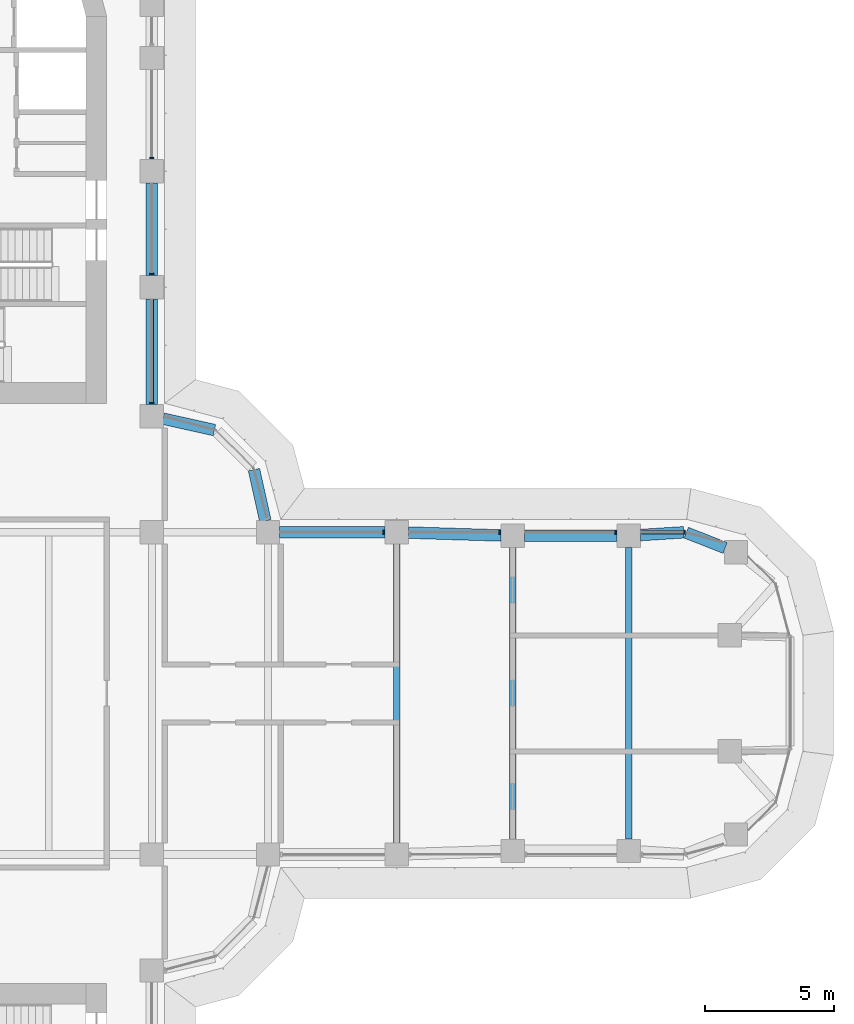
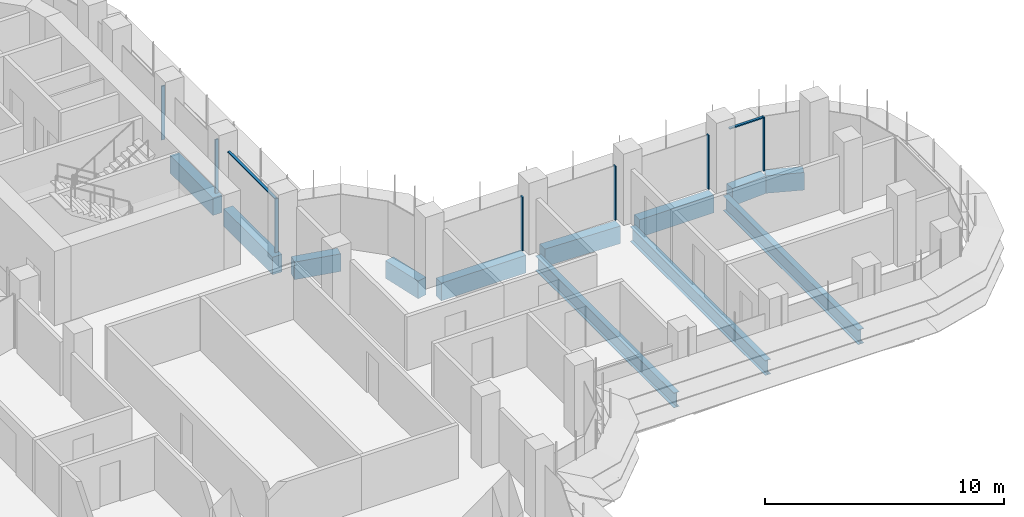
# One storey, part 8 of 21: 12 beams, 9 members, 2 elements without a shape of their own.
"""IFC4 building model written with IfcOpenShell, lengths in metres."""

from ifc_helpers import new_model, si_unit, direction, frame, origin, origin_2d, place, context, subcontext, project, spatial, polyline, rectangle, i_section, outline, extrude, source, transform, mapped, material, material_profile, profile_set, type_object, element, aggregate, save


model = new_model("IFC4")

# Units and contexts
model_context = context("Model", 3, precision=1e-05, world=origin(), true_north=direction((0.0, 1.0)))
body_context = subcontext(model_context, "Body", "Model", "MODEL_VIEW")
ifc_project = project(units=[si_unit("LENGTHUNIT", "METRE"), si_unit("AREAUNIT", "SQUARE_METRE"), si_unit("VOLUMEUNIT", "CUBIC_METRE"), si_unit("PLANEANGLEUNIT", "RADIAN"), si_unit("MASSUNIT", "GRAM", prefix="KILO")], contexts=[model_context])

# Site, building, storey
site_placement = place(None, origin())
site = spatial("IfcSite", under=ifc_project, at=site_placement, CompositionType="ELEMENT")
building_placement = place(site_placement, origin())
building = spatial("IfcBuilding", under=site, at=building_placement, Name="Zarbagh Exchange Tower", CompositionType="ELEMENT")
storey_placement = place(building_placement, frame((0.0, 0.0, 128.39990234375)))
storey = spatial("IfcBuildingStorey", under=building, at=storey_placement, Name="L30", CompositionType="ELEMENT", Elevation=128.39990234375)

# Beams
ifc_material_1 = material(Name="Steel ASTM A992 Gr 50", Category="steel")
ifc_material_profile_1 = material_profile(ifc_material_1, i_section(OverallWidth=0.2666015625, OverallDepth=0.7568359375, WebThickness=0.013916015625, FlangeThickness=0.019287109375, at=origin_2d()), Name="W30X108")
ifc_profile_set_1 = profile_set([ifc_material_profile_1], Name="Steel ASTM A992 Gr 50")
beam_type_1 = type_object("IfcBeamType", Name="Floor beam W30X108", PredefinedType="BEAM", material=ifc_profile_set_1)
beam_1_placement = place(storey_placement, frame((15.75, -5.800048828125, -0.5283203125), z_axis=(0.0, 1.0, 0.0), x_axis=(-1.0, 0.0, 0.0)))
element("IfcBeam", 1, at=beam_1_placement, inside=storey, type_object=beam_type_1, Name="Steel floor beam", PredefinedType="BEAM", context=body_context, shape_type="SweptSolid", body=[
    extrude(i_section(OverallWidth=0.2666015625, OverallDepth=0.7568359375, WebThickness=0.013916015625, FlangeThickness=0.019287109375, at=origin_2d()), origin(), (0.0, 0.0, 1.0), 11.60009765625),
])
for number, where, z_axis, x_axis, name in (
    (2, (20.25, -5.659912109375, -0.5283203125), (0.0, 1.0, 0.0), (-1.0, 0.0, 0.0), "Steel floor beam"),
    (3, (24.75, -5.659912109375, -0.5283203125), (0.0, 1.0, 0.0), (-1.0, 0.0, 0.0), "Steel floor beam"),
):
    element("IfcBeam", number, at=place(storey_placement, frame(where, z_axis=z_axis, x_axis=x_axis)), inside=storey, type_object=beam_type_1, Name=name, PredefinedType="BEAM", context=body_context, shape_type="SweptSolid", body=[
        extrude(i_section(OverallWidth=0.2666015625, OverallDepth=0.7568359375, WebThickness=0.013916015625, FlangeThickness=0.019287109375, at=origin_2d()), origin(), (0.0, 0.0, 1.0), 11.31982421875),
    ])
ifc_material_2 = material(Name="Concrete C60/75", Category="concrete")
ifc_material_profile_2 = material_profile(ifc_material_2, rectangle(XDim=0.449951171875, YDim=0.89990234375, at=origin_2d()), Name="RC spandrel beam 450 x 900 C60/75")
ifc_profile_set_2 = profile_set([ifc_material_profile_2], Name="Concrete C60/75")
beam_type_2 = type_object("IfcBeamType", Name="RC spandrel beam 450 x 900 C60/75", PredefinedType="SPANDREL", material=ifc_profile_set_2)
beam_2_placement = place(storey_placement, frame((6.25, 19.800048828125, -0.599853515625), z_axis=(0.0, -1.0, 0.0), x_axis=(1.0, 0.0, 0.0)))
element("IfcBeam", 4, at=beam_2_placement, inside=storey, type_object=beam_type_2, Name="RC spandrel beam", PredefinedType="SPANDREL", context=body_context, shape_type="SweptSolid", body=[
    extrude(rectangle(XDim=0.449951171875, YDim=0.89990234375, at=origin_2d()), origin(), (0.0, 0.0, 1.0), 3.60009765625),
])
beam_3_placement = place(storey_placement, frame((6.25, 15.300048828125, -0.599853515625), z_axis=(0.0, -1.0, 0.0), x_axis=(1.0, 0.0, 0.0)))
element("IfcBeam", 5, at=beam_3_placement, inside=storey, type_object=beam_type_2, Name="RC spandrel beam", PredefinedType="SPANDREL", context=body_context, shape_type="SweptSolid", body=[
    extrude(rectangle(XDim=0.449951171875, YDim=0.89990234375, at=origin_2d()), origin(), (0.0, 0.0, 1.0), 4.10009765625),
])
for number, where, z_axis, x_axis, name in (
    (6, (6.689453125, 10.65283203125, -0.599853515625), (0.976367325525, -0.216117666208, 0.0), (0.216117666208, 0.976367325525, 0.0), "RC spandrel beam"),
    (7, (10.212890625, 8.677001953125, -0.599853515625), (0.216117666208, -0.976367325525, 0.0), (0.976367325525, 0.216117666208, 0.0), "RC spandrel beam"),
):
    element("IfcBeam", number, at=place(storey_placement, frame(where, z_axis=z_axis, x_axis=x_axis)), inside=storey, type_object=beam_type_2, Name=name, PredefinedType="SPANDREL", context=body_context, shape_type="SweptSolid", body=[
        extrude(rectangle(XDim=0.449951171875, YDim=0.89990234375, at=origin_2d()), origin(), (0.0, 0.0, 1.0), 2.03564453125),
    ])
beam_4_placement = place(storey_placement, frame((11.199951171875, 6.25, -0.599853515625), z_axis=(1.0, 0.0, 0.0), x_axis=(0.0, 1.0, 0.0)))
element("IfcBeam", 8, at=beam_4_placement, inside=storey, type_object=beam_type_2, Name="RC spandrel beam", PredefinedType="SPANDREL", context=body_context, shape_type="SweptSolid", body=[
    extrude(rectangle(XDim=0.449951171875, YDim=0.89990234375, at=origin_2d()), origin(), (0.0, 0.0, 1.0), 4.10009765625),
])
beam_5_placement = place(storey_placement, frame((16.19970703125, 6.236083984375, -0.599853515625), z_axis=(0.999516035224, -0.031107801747, 0.0), x_axis=(0.031107801747, 0.999516035224, 0.0)))
element("IfcBeam", 9, at=beam_5_placement, inside=storey, type_object=beam_type_2, Name="RC spandrel beam", PredefinedType="SPANDREL", context=body_context, shape_type="SweptSolid", body=[
    extrude(rectangle(XDim=0.449951171875, YDim=0.89990234375, at=origin_2d()), origin(), (0.0, 0.0, 1.0), 3.602294921875),
])
beam_6_placement = place(storey_placement, frame((20.699951171875, 6.110107421875, -0.599853515625), z_axis=(1.0, 0.0, 0.0), x_axis=(0.0, 1.0, 0.0)))
element("IfcBeam", 10, at=beam_6_placement, inside=storey, type_object=beam_type_2, Name="RC spandrel beam", PredefinedType="SPANDREL", context=body_context, shape_type="SweptSolid", body=[
    extrude(rectangle(XDim=0.449951171875, YDim=0.89990234375, at=origin_2d()), origin(), (0.0, 0.0, 1.0), 3.60009765625),
])
beam_7_placement = place(storey_placement, frame((25.19921875, 6.138916015625, -0.599853515625), z_axis=(0.997955762545, 0.063908497109, 0.0), x_axis=(-0.063908497109, 0.997955762545, 0.0)))
element("IfcBeam", 11, at=beam_7_placement, inside=storey, type_object=beam_type_2, Name="RC spandrel beam", PredefinedType="SPANDREL", context=body_context, shape_type="SweptSolid", body=[
    extrude(rectangle(XDim=0.449951171875, YDim=0.89990234375, at=origin_2d()), origin(), (0.0, 0.0, 1.0), 1.6884765625),
])
beam_8_placement = place(storey_placement, frame((26.980712890625, 6.231689453125, -0.599853515625), z_axis=(0.930806421439, -0.365512524832, 0.0), x_axis=(0.365512524832, 0.930806421439, 0.0)))
element("IfcBeam", 12, at=beam_8_placement, inside=storey, type_object=beam_type_2, Name="RC spandrel beam", PredefinedType="SPANDREL", context=body_context, shape_type="SweptSolid", body=[
    extrude(rectangle(XDim=0.449951171875, YDim=0.89990234375, at=origin_2d()), origin(), (0.0, 0.0, 1.0), 1.620361328125),
])

# Curtain wall, members
ifc_material_3 = material(Name="Anodised aluminium frame and glazing", Category="aluminium")
curtain_wall_type = type_object("IfcCurtainWallType", Name="CWA Ribbon glazing, lower zones", PredefinedType="NOTDEFINED", material=ifc_material_3)
curtain_wall_1_placement = place(storey_placement, origin())
curtain_wall_1 = element("IfcCurtainWall", 13, at=curtain_wall_1_placement, inside=storey, type_object=curtain_wall_type, Name="CWA65 curtain wall", PredefinedType="NOTDEFINED")
ifc_material_4 = material(Name="Anodised aluminium frame", Category="aluminium")
member_type_1 = type_object("IfcMemberType", Name="MUA Mullion, anodised aluminium frame", PredefinedType="MULLION", material=ifc_material_4)
shared_shape_1 = source(origin(), body_context, "Body", "SweptSolid", [
    extrude(outline(polyline([(0.0, -0.080078125), (0.06005859375, -0.080078125), (0.06005859375, 0.080078125), (0.0, 0.080078125), (0.0, -0.080078125)])), origin(), (0.0, 0.0, 1.0), 2.75),
])
placement = place(storey_placement, origin())
member_1 = element("IfcMember", 14, at=placement, type_object=member_type_1, Name="CWA65 mullion 1.1", PredefinedType="MULLION", context=body_context, shape_type="MappedRepresentation", body=[
    mapped(shared_shape_1, transform((26.93408203125, 6.25, 0.0), x_axis=(-1.0, 0.0, 0.0), y_axis=(0.0, -1.0, 0.0), z_axis=(0.0, 0.0, 1.0))),
])
member_2 = element("IfcMember", 15, at=placement, type_object=member_type_1, Name="CWA65 mullion 2.1", PredefinedType="MULLION", context=body_context, shape_type="MappedRepresentation", body=[
    mapped(shared_shape_1, transform((24.260009765625, 6.25, 0.0), x_axis=(-1.0, 0.0, 0.0), y_axis=(0.0, -1.0, 0.0), z_axis=(0.0, 0.0, 1.0))),
])
member_3 = element("IfcMember", 16, at=placement, type_object=member_type_1, Name="CWA65 mullion 3.1", PredefinedType="MULLION", context=body_context, shape_type="MappedRepresentation", body=[
    mapped(shared_shape_1, transform((19.760009765625, 6.25, 0.0), x_axis=(-1.0, 0.0, 0.0), y_axis=(0.0, -1.0, 0.0), z_axis=(0.0, 0.0, 1.0))),
])
member_4 = element("IfcMember", 17, at=placement, type_object=member_type_1, Name="CWA65 mullion 4.1", PredefinedType="MULLION", context=body_context, shape_type="MappedRepresentation", body=[
    mapped(shared_shape_1, transform((15.260009765625, 6.25, 0.0), x_axis=(-1.0, 0.0, 0.0), y_axis=(0.0, -1.0, 0.0), z_axis=(0.0, 0.0, 1.0))),
])

curtain_wall_2_placement = place(storey_placement, origin())
curtain_wall_2 = element("IfcCurtainWall", 18, at=curtain_wall_2_placement, inside=storey, type_object=curtain_wall_type, Name="CWA49 curtain wall", PredefinedType="NOTDEFINED")
member_5 = element("IfcMember", 19, at=placement, type_object=member_type_1, Name="CWA49 mullion 1.1", PredefinedType="MULLION", context=body_context, shape_type="MappedRepresentation", body=[
    mapped(shared_shape_1, transform((6.25, 11.239990234375, 0.0), x_axis=(0.0, 1.0, 0.0), y_axis=(-1.0, 0.0, 0.0), z_axis=(0.0, 0.0, 1.0))),
])
member_6 = element("IfcMember", 20, at=placement, type_object=member_type_1, Name="CWA49 mullion 2.1", PredefinedType="MULLION", context=body_context, shape_type="MappedRepresentation", body=[
    mapped(shared_shape_1, transform((6.25, 16.239990234375, 0.0), x_axis=(0.0, 1.0, 0.0), y_axis=(-1.0, 0.0, 0.0), z_axis=(0.0, 0.0, 1.0))),
])
member_7 = element("IfcMember", 21, at=placement, type_object=member_type_1, Name="CWA49 mullion 3.1", PredefinedType="MULLION", context=body_context, shape_type="MappedRepresentation", body=[
    mapped(shared_shape_1, transform((6.25, 20.739990234375, 0.0), x_axis=(0.0, 1.0, 0.0), y_axis=(-1.0, 0.0, 0.0), z_axis=(0.0, 0.0, 1.0))),
])
member_type_2 = type_object("IfcMemberType", Name="TRA Transom, anodised aluminium frame", PredefinedType="USERDEFINED", material=ifc_material_4)
shared_shape_2 = source(origin(), body_context, "Body", "SweptSolid", [
    extrude(outline(polyline([(-0.06005859375, -0.06005859375), (0.0, -0.06005859375), (0.0, 0.06005859375), (-0.06005859375, 0.06005859375), (-0.06005859375, -0.06005859375)])), origin(), (0.0, 0.0, 1.0), 3.9599609375),
])
member_8 = element("IfcMember", 22, at=placement, type_object=member_type_2, Name="CWA49 transom 1.1", ObjectType="TRANSOM", PredefinedType="USERDEFINED", context=body_context, shape_type="MappedRepresentation", body=[
    mapped(shared_shape_2, transform((6.25, 11.300048828125, 2.75), x_axis=(0.0, 0.0, 1.0), y_axis=(1.0, 0.0, 0.0), z_axis=(0.0, 1.0, 0.0))),
])
aggregate(curtain_wall_2, [member_5, member_8, member_6, member_7])

# Member
shared_shape_3 = source(origin(), body_context, "Body", "SweptSolid", [
    extrude(outline(polyline([(-0.06005859375, -0.06005859375), (0.0, -0.06005859375), (0.0, 0.06005859375), (-0.06005859375, 0.06005859375), (-0.06005859375, -0.06005859375)])), origin(), (0.0, 0.0, 1.0), 1.63427734375),
])
member_9 = element("IfcMember", 23, at=placement, type_object=member_type_2, Name="CWA65 transom 1.1", ObjectType="TRANSOM", PredefinedType="USERDEFINED", context=body_context, shape_type="MappedRepresentation", body=[
    mapped(shared_shape_3, transform((26.874267578125, 6.25, 2.75), x_axis=(0.0, 0.0, 1.0), y_axis=(0.0, 1.0, 0.0), z_axis=(-1.0, 0.0, 0.0))),
])

aggregate(curtain_wall_1, [member_1, member_9, member_2, member_3, member_4])

save(model, "model.ifc")
